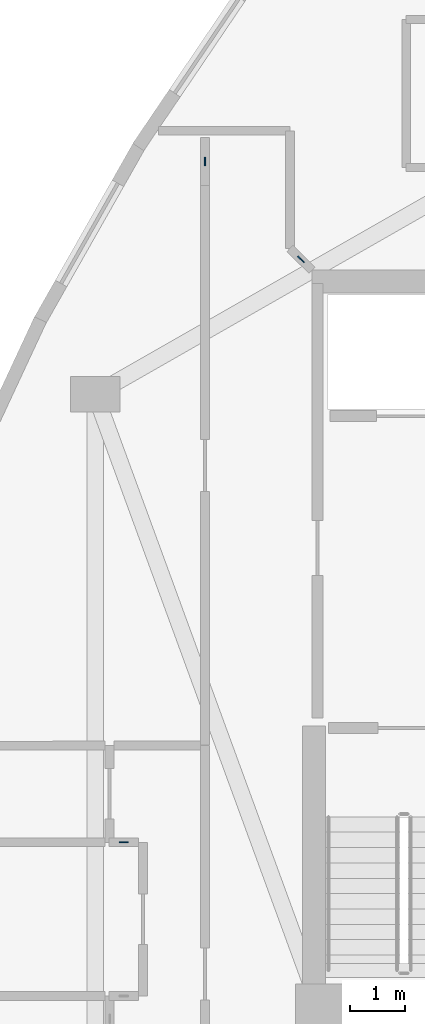
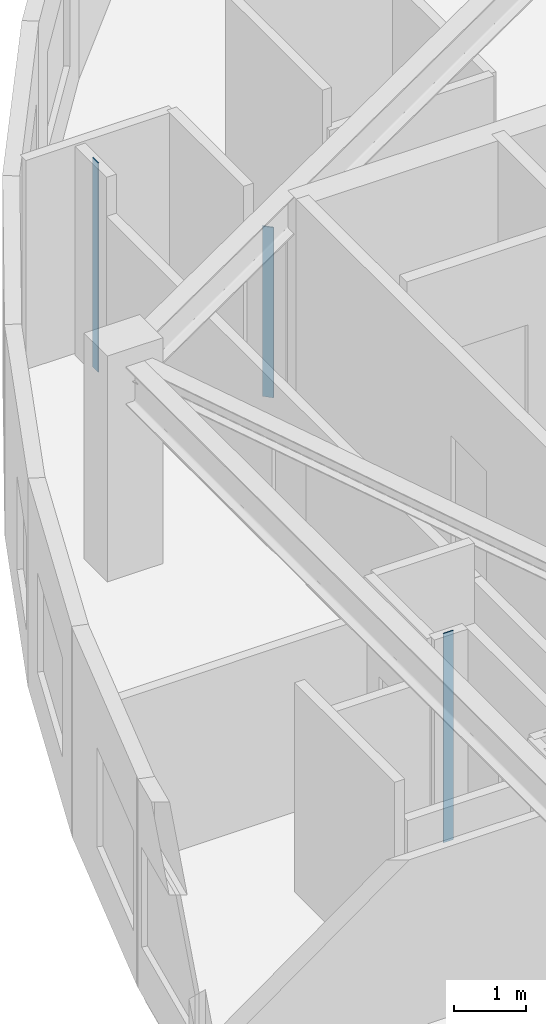
# One storey, part 4 of 13: 3 plates.
"""IFC4 building model written with IfcOpenShell, lengths in metres."""

from ifc_helpers import new_model, si_unit, direction, frame, origin, origin_2d, place, context, subcontext, project, spatial, rectangle, extrude, material, layer, layer_set, type_object, element, save


model = new_model("IFC4")

# Units and contexts
model_context = context("Model", 3, precision=1e-05, world=origin(), true_north=direction((0.0, 1.0)))
body_context = subcontext(model_context, "Body", "Model", "MODEL_VIEW")
ifc_project = project(units=[si_unit("LENGTHUNIT", "METRE"), si_unit("AREAUNIT", "SQUARE_METRE"), si_unit("VOLUMEUNIT", "CUBIC_METRE"), si_unit("PLANEANGLEUNIT", "RADIAN"), si_unit("MASSUNIT", "GRAM", prefix="KILO")], contexts=[model_context])

# Site, building, storey
site_placement = place(None, origin())
site = spatial("IfcSite", under=ifc_project, at=site_placement, CompositionType="ELEMENT")
building_placement = place(site_placement, origin())
building = spatial("IfcBuilding", under=site, at=building_placement, Name="Miruveldt Soraemaru", CompositionType="ELEMENT")
storey_placement = place(building_placement, frame((0.0, 0.0, 255.85009765625)))
storey = spatial("IfcBuildingStorey", under=building, at=storey_placement, Name="L70", CompositionType="ELEMENT", Elevation=255.85009765625)

# Plates
ifc_material = material(Name="Anodised aluminium EN AW-6063 T6", Category="aluminium")
ifc_layer = layer(ifc_material, 0.02001953125, Name="Anodised aluminium EN AW-6063 T6", Category="aluminium")
ifc_layer_set = layer_set([ifc_layer], Name="Anodised aluminium EN AW-6063 T6")
plate_type = type_object("IfcPlateType", Name="PLT-PART-TRIM", PredefinedType="SHEET", material=ifc_layer_set)
plate_1_placement = place(storey_placement, frame((33.39990234375, 54.639892578125, 0.0), z_axis=(0.0, 0.0, 1.0), x_axis=(0.0, -1.0, 0.0)))
element("IfcPlate", 1, at=plate_1_placement, inside=storey, type_object=plate_type, Name="L70 Partition Step Corner Trim Plate 003", PredefinedType="SHEET", context=body_context, shape_type="SweptSolid", body=[
    extrude(rectangle(XDim=0.159912109375, YDim=0.02001953125, at=origin_2d()), origin(), (0.0, 0.0, 1.0), 3.56494140625),
])
plate_2_placement = place(storey_placement, frame((35.14990234375, 52.85791015625, 0.0), z_axis=(0.0, 0.0, 1.0), x_axis=(0.710676697512, -0.703518750008, 0.0)))
element("IfcPlate", 2, at=plate_2_placement, inside=storey, type_object=plate_type, Name="L70 Partition Step Corner Trim Plate 002", PredefinedType="SHEET", context=body_context, shape_type="SweptSolid", body=[
    extrude(rectangle(XDim=0.159912109375, YDim=0.02001953125, at=origin_2d()), origin(), (0.0, 0.0, 1.0), 2.903076171875),
])
plate_3_placement = place(storey_placement, frame((31.922607421875, 42.235107421875, 0.0), z_axis=(0.0, 0.0, 1.0), x_axis=(-1.0, 0.0, 0.0)))
element("IfcPlate", 3, at=plate_3_placement, inside=storey, type_object=plate_type, Name="L70 Partition Step Corner Trim Plate 031", PredefinedType="SHEET", context=body_context, shape_type="SweptSolid", body=[
    extrude(rectangle(XDim=0.159912109375, YDim=0.02001953125, at=origin_2d()), origin(), (0.0, 0.0, 1.0), 3.56494140625),
])

save(model, "model.ifc")
